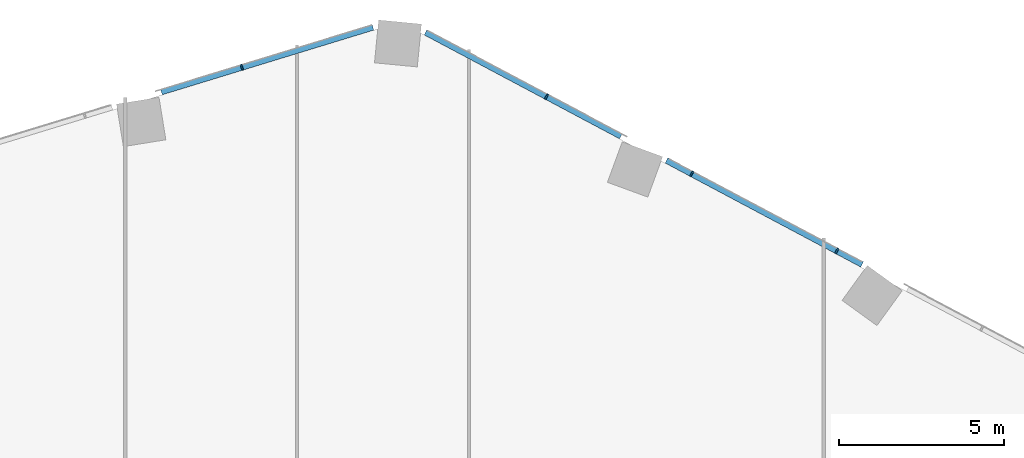
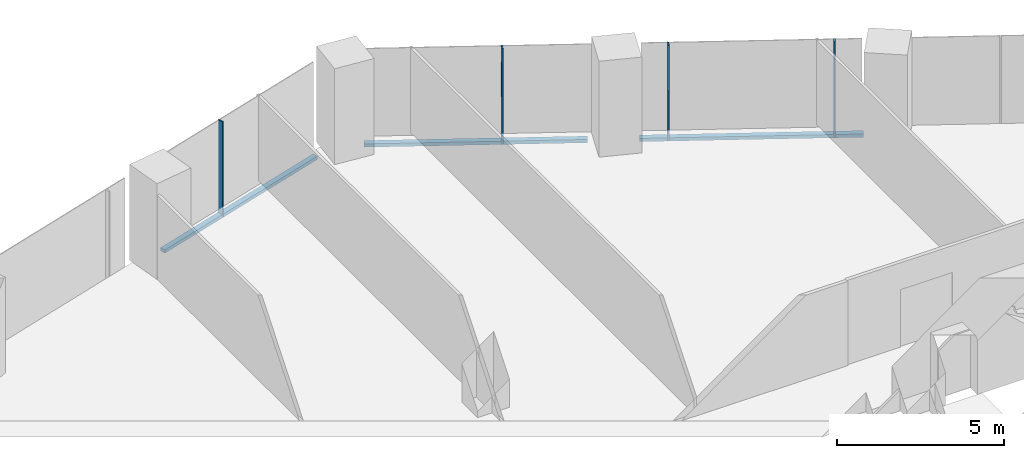
# One storey, part 12 of 31: 7 members, 2 elements without a shape of their own.
"""IFC4 building model written with IfcOpenShell, lengths in metres."""

from ifc_helpers import new_model, si_unit, direction, frame, origin, origin_2d, place, context, subcontext, project, spatial, rectangle, extrude, material, material_profile, profile_set, type_object, element, aggregate, save


model = new_model("IFC4")

# Units and contexts
model_context = context("Model", 3, precision=1e-05, world=origin(), true_north=direction((0.0, 1.0)))
body_context = subcontext(model_context, "Body", "Model", "MODEL_VIEW")
ifc_project = project(units=[si_unit("LENGTHUNIT", "METRE"), si_unit("AREAUNIT", "SQUARE_METRE"), si_unit("VOLUMEUNIT", "CUBIC_METRE"), si_unit("PLANEANGLEUNIT", "RADIAN"), si_unit("MASSUNIT", "GRAM", prefix="KILO")], contexts=[model_context])

# Site, building, storey
site_placement = place(None, origin())
site = spatial("IfcSite", under=ifc_project, at=site_placement, CompositionType="ELEMENT")
building_placement = place(site_placement, origin())
building = spatial("IfcBuilding", under=site, at=building_placement, Name="Orlundy Tower", CompositionType="ELEMENT")
storey_placement = place(building_placement, frame((0.0, 0.0, 87.699951171875)))
storey = spatial("IfcBuildingStorey", under=building, at=storey_placement, Name="L21", CompositionType="ELEMENT", Elevation=87.699951171875)

# Curtain wall, member
ifc_material_1 = material(Name="Aluminium bronze anodised", Category="aluminium")
curtain_wall_type = type_object("IfcCurtainWallType", Name="CW1 wall", PredefinedType="NOTDEFINED", material=ifc_material_1)
curtain_wall_1_placement = place(storey_placement, origin())
curtain_wall_1 = element("IfcCurtainWall", 1, at=curtain_wall_1_placement, inside=storey, type_object=curtain_wall_type, Name="CW1 run 03", PredefinedType="NOTDEFINED")
ifc_material_2 = material(Name="Aluminium bronze anodised", Category="aluminium")
ifc_material_profile_1 = material_profile(ifc_material_2, rectangle(XDim=0.179931640625, YDim=0.050048828125, at=origin_2d()), Name="CW1 mullion 50x180")
ifc_profile_set_1 = profile_set([ifc_material_profile_1], Name="Aluminium bronze anodised")
member_type_1 = type_object("IfcMemberType", Name="CW1 mullion 50x180", PredefinedType="MULLION", material=ifc_profile_set_1)
member_1_placement = place(storey_placement, frame((-1.667724609375, 30.954833984375, -0.39990234375), z_axis=(0.0, 0.0, 1.0), x_axis=(-0.292360624804, 0.956308143364, 0.0)))
member_1 = element("IfcMember", 2, at=member_1_placement, type_object=member_type_1, Name="CW1 mullion 18", PredefinedType="MULLION", context=body_context, shape_type="SweptSolid", body=[
    extrude(rectangle(XDim=0.179931640625, YDim=0.050048828125, at=origin_2d()), origin(), (0.0, 0.0, 1.0), 3.5),
])

# Curtain wall, members
curtain_wall_2_placement = place(storey_placement, origin())
curtain_wall_2 = element("IfcCurtainWall", 3, at=curtain_wall_2_placement, inside=storey, type_object=curtain_wall_type, Name="CW1 run 04", PredefinedType="NOTDEFINED")
member_2_placement = place(storey_placement, frame((7.54296875, 30.068115234375, -0.39990234375), z_axis=(0.0, 0.0, 1.0), x_axis=(0.469445471129, 0.882961465544, 0.0)))
member_2 = element("IfcMember", 4, at=member_2_placement, type_object=member_type_1, Name="CW1 mullion 20", PredefinedType="MULLION", context=body_context, shape_type="SweptSolid", body=[
    extrude(rectangle(XDim=0.179931640625, YDim=0.050048828125, at=origin_2d()), origin(), (0.0, 0.0, 1.0), 3.5),
])
member_3_placement = place(storey_placement, frame((11.931884765625, 27.734619140625, -0.39990234375), z_axis=(0.0, 0.0, 1.0), x_axis=(0.469445471129, 0.882961465544, 0.0)))
member_3 = element("IfcMember", 5, at=member_3_placement, type_object=member_type_1, Name="CW1 mullion 21", PredefinedType="MULLION", context=body_context, shape_type="SweptSolid", body=[
    extrude(rectangle(XDim=0.179931640625, YDim=0.050048828125, at=origin_2d()), origin(), (0.0, 0.0, 1.0), 3.5),
])
member_4_placement = place(storey_placement, frame((16.320556640625, 25.4013671875, -0.39990234375), z_axis=(0.0, 0.0, 1.0), x_axis=(0.469445471129, 0.882961465544, 0.0)))
member_4 = element("IfcMember", 6, at=member_4_placement, type_object=member_type_1, Name="CW1 mullion 22", PredefinedType="MULLION", context=body_context, shape_type="SweptSolid", body=[
    extrude(rectangle(XDim=0.179931640625, YDim=0.050048828125, at=origin_2d()), origin(), (0.0, 0.0, 1.0), 3.5),
])

# Member
ifc_material_3 = material(Name="Aluminium bronze anodised", Category="aluminium")
ifc_material_profile_2 = material_profile(ifc_material_3, rectangle(XDim=0.179931640625, YDim=0.1201171875, at=origin_2d()), Name="CW1 transom 180x120")
ifc_profile_set_2 = profile_set([ifc_material_profile_2], Name="Aluminium bronze anodised")
member_type_2 = type_object("IfcMemberType", Name="CW1 transom 180x120", PredefinedType="USERDEFINED", material=ifc_profile_set_2)
member_5_placement = place(storey_placement, frame((-4.1015625, 30.2109375, -0.33984375), z_axis=(0.956318121775, 0.292327983548, 0.0), x_axis=(-0.292327983548, 0.956318121775, 0.0)))
member_5 = element("IfcMember", 7, at=member_5_placement, type_object=member_type_2, Name="CW1 transom", ObjectType="TRANSOM", PredefinedType="USERDEFINED", context=body_context, shape_type="SweptSolid", body=[
    extrude(rectangle(XDim=0.179931640625, YDim=0.1201171875, at=origin_2d()), origin(), (0.0, 0.0, 1.0), 6.68701171875),
])

aggregate(curtain_wall_1, [member_1, member_5])

member_6_placement = place(storey_placement, frame((3.885986328125, 32.012451171875, -0.33984375), z_axis=(0.882949326186, -0.469468302858, 0.0), x_axis=(0.469468302858, 0.882949326186, 0.0)))
member_6 = element("IfcMember", 8, at=member_6_placement, type_object=member_type_2, Name="CW1 transom", ObjectType="TRANSOM", PredefinedType="USERDEFINED", context=body_context, shape_type="SweptSolid", body=[
    extrude(rectangle(XDim=0.179931640625, YDim=0.1201171875, at=origin_2d()), origin(), (0.0, 0.0, 1.0), 6.689208984375),
])

member_7_placement = place(storey_placement, frame((11.1708984375, 28.13916015625, -0.33984375), z_axis=(0.882974027203, -0.469421843638, 0.0), x_axis=(0.469421843638, 0.882974027203, 0.0)))
member_7 = element("IfcMember", 9, at=member_7_placement, type_object=member_type_2, Name="CW1 transom", ObjectType="TRANSOM", PredefinedType="USERDEFINED", context=body_context, shape_type="SweptSolid", body=[
    extrude(rectangle(XDim=0.179931640625, YDim=0.1201171875, at=origin_2d()), origin(), (0.0, 0.0, 1.0), 6.694580078125),
])

aggregate(curtain_wall_2, [member_2, member_3, member_4, member_6, member_7])

save(model, "model.ifc")
